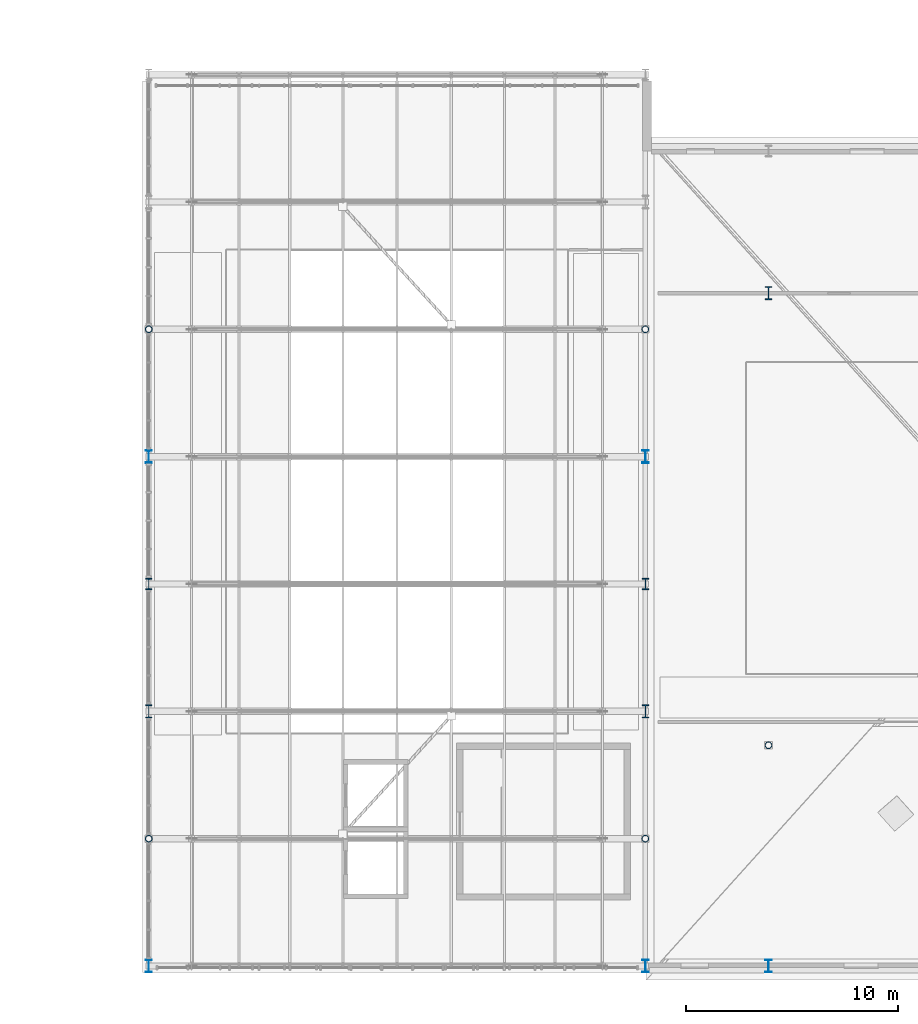
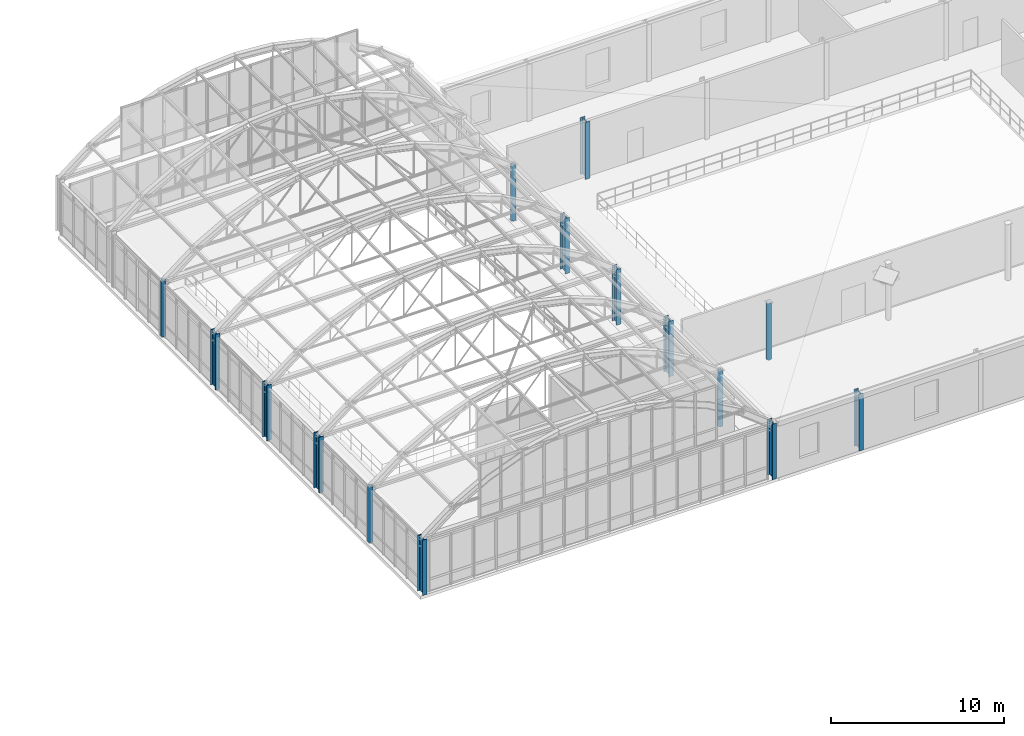
# One storey, part 5 of 148: 15 columns.
"""IFC4 building model written with IfcOpenShell, lengths in metres."""

from ifc_helpers import new_model, si_unit, direction, frame, origin, origin_2d, place, context, subcontext, project, spatial, hollow_circle, i_section, extrude, material, material_profile, profile_set, type_object, element, save


model = new_model("IFC4")

# Units and contexts
model_context = context("Model", 3, precision=1e-05, world=origin(), true_north=direction((0.0, 1.0)))
body_context = subcontext(model_context, "Body", "Model", "MODEL_VIEW")
ifc_project = project(units=[si_unit("LENGTHUNIT", "METRE"), si_unit("AREAUNIT", "SQUARE_METRE"), si_unit("VOLUMEUNIT", "CUBIC_METRE"), si_unit("PLANEANGLEUNIT", "RADIAN"), si_unit("MASSUNIT", "GRAM", prefix="KILO"), si_unit("THERMODYNAMICTEMPERATUREUNIT", "KELVIN"), si_unit("POWERUNIT", "WATT")], contexts=[model_context])

# Site, building, storey
site_placement = place(None, origin())
site = spatial("IfcSite", under=ifc_project, at=site_placement, CompositionType="ELEMENT")
building_placement = place(site_placement, origin())
building = spatial("IfcBuilding", under=site, at=building_placement, Name="Solvatero Civic Police Headquarters", CompositionType="ELEMENT")
storey_placement = place(building_placement, frame((0.0, 0.0, 5.10009765625)))
storey = spatial("IfcBuildingStorey", under=building, at=storey_placement, Name="L01", CompositionType="ELEMENT", Elevation=5.10009765625)

# Columns
ifc_material = material(Name="Steel S355", Category="steel")
ifc_material_profile_1 = material_profile(ifc_material, hollow_circle(Radius=0.161865234375, WallThickness=0.01611328125, at=origin_2d()), Name="CHS 323.9x16.0")
ifc_profile_set_1 = profile_set([ifc_material_profile_1], Name="Steel S355")
column_type_1 = type_object("IfcColumnType", Name="COL-ST-CHS324", PredefinedType="COLUMN", material=ifc_profile_set_1)
for number, where, z_axis, x_axis, name in (
    (1, (122.199951171875, 10.800048828125, 0.0), (0.0, 0.0, 1.0), (1.0, 0.0, 0.0), "Column V1-E-F2 L01"),
    (2, (122.199951171875, 34.800048828125, 0.0), (0.0, 0.0, 1.0), (1.0, 0.0, 0.0), "Column V1-E-F6 L01"),
    (3, (98.800048828125, 10.800048828125, 0.0), (0.0, 0.0, 1.0), (1.0, 0.0, 0.0), "Column V1-W-F2 L01"),
    (4, (98.800048828125, 34.800048828125, 0.0), (0.0, 0.0, 1.0), (1.0, 0.0, 0.0), "Column V1-W-F6 L01"),
):
    element("IfcColumn", number, at=place(storey_placement, frame(where, z_axis=z_axis, x_axis=x_axis)), inside=storey, type_object=column_type_1, Name=name, PredefinedType="COLUMN", context=body_context, shape_type="SweptSolid", body=[
        extrude(hollow_circle(Radius=0.161865234375, WallThickness=0.01611328125, at=origin_2d()), origin(), (0.0, 0.0, 1.0), 3.919921875),
    ])
column_1_placement = place(storey_placement, frame((128.0, 15.199951171875, 0.0), z_axis=(0.0, 0.0, 1.0), x_axis=(1.0, 0.0, 0.0)))
element("IfcColumn", 5, at=column_1_placement, inside=storey, type_object=column_type_1, Name="Column V3-X1Y2 L01", PredefinedType="COLUMN", context=body_context, shape_type="SweptSolid", body=[
    extrude(hollow_circle(Radius=0.161865234375, WallThickness=0.01611328125, at=origin_2d()), origin(), (0.0, 0.0, 1.0), 4.02001953125),
])
ifc_material_profile_2 = material_profile(ifc_material, i_section(OverallWidth=0.300048828125, OverallDepth=0.60009765625, WebThickness=0.015380859375, FlangeThickness=0.030029296875, FilletRadius=0.027099609375, at=origin_2d()), Name="HEB 600")
ifc_profile_set_2 = profile_set([ifc_material_profile_2], Name="Steel S355")
column_type_2 = type_object("IfcColumnType", Name="COL-ST-HEB600", PredefinedType="COLUMN", material=ifc_profile_set_2)
for number, where, z_axis, x_axis, name in (
    (6, (122.199951171875, 4.800048828125, 0.0), (0.0, 0.0, 1.0), (1.0, 0.0, 0.0), "Column V1-E-F1 L01"),
    (7, (122.199951171875, 28.800048828125, 0.0), (0.0, 0.0, 1.0), (1.0, 0.0, 0.0), "Column V1-E-F5 L01"),
    (8, (98.800048828125, 4.800048828125, 0.0), (0.0, 0.0, 1.0), (1.0, 0.0, 0.0), "Column V1-W-F1 L01"),
    (9, (98.800048828125, 28.800048828125, 0.0), (0.0, 0.0, 1.0), (1.0, 0.0, 0.0), "Column V1-W-F5 L01"),
):
    element("IfcColumn", number, at=place(storey_placement, frame(where, z_axis=z_axis, x_axis=x_axis)), inside=storey, type_object=column_type_2, Name=name, PredefinedType="COLUMN", context=body_context, shape_type="SweptSolid", body=[
        extrude(i_section(OverallWidth=0.300048828125, OverallDepth=0.60009765625, WebThickness=0.015380859375, FlangeThickness=0.030029296875, FilletRadius=0.027099609375, at=origin_2d()), origin(), (0.0, 0.0, 1.0), 3.919921875),
    ])
column_2_placement = place(storey_placement, frame((128.0, 4.800048828125, 0.0), z_axis=(0.0, 0.0, 1.0), x_axis=(1.0, 0.0, 0.0)))
element("IfcColumn", 10, at=column_2_placement, inside=storey, type_object=column_type_2, Name="Column V3-X1Y1 L01", PredefinedType="COLUMN", context=body_context, shape_type="SweptSolid", body=[
    extrude(i_section(OverallWidth=0.300048828125, OverallDepth=0.60009765625, WebThickness=0.015380859375, FlangeThickness=0.030029296875, FilletRadius=0.027099609375, at=origin_2d()), origin(), (0.0, 0.0, 1.0), 4.02001953125),
])
ifc_material_profile_3 = material_profile(ifc_material, i_section(OverallWidth=0.305908203125, OverallDepth=0.52392578125, WebThickness=0.02099609375, FlangeThickness=0.0400390625, FilletRadius=0.027099609375, at=origin_2d()), Name="HEM 500")
ifc_profile_set_3 = profile_set([ifc_material_profile_3], Name="Steel S355")
column_type_3 = type_object("IfcColumnType", Name="COL-ST-HEM500", PredefinedType="COLUMN", material=ifc_profile_set_3)
for number, where, z_axis, x_axis, name in (
    (11, (122.199951171875, 22.800048828125, 0.0), (0.0, 0.0, 1.0), (1.0, 0.0, 0.0), "Column V1-E-F4 L01"),
    (12, (98.800048828125, 22.800048828125, 0.0), (0.0, 0.0, 1.0), (1.0, 0.0, 0.0), "Column V1-W-F4 L01"),
):
    element("IfcColumn", number, at=place(storey_placement, frame(where, z_axis=z_axis, x_axis=x_axis)), inside=storey, type_object=column_type_3, Name=name, PredefinedType="COLUMN", context=body_context, shape_type="SweptSolid", body=[
        extrude(i_section(OverallWidth=0.305908203125, OverallDepth=0.52392578125, WebThickness=0.02099609375, FlangeThickness=0.0400390625, FilletRadius=0.027099609375, at=origin_2d()), origin(), (0.0, 0.0, 1.0), 3.919921875),
    ])
ifc_material_profile_4 = material_profile(ifc_material, i_section(OverallWidth=0.304931640625, OverallDepth=0.6201171875, WebThickness=0.02099609375, FlangeThickness=0.0400390625, FilletRadius=0.027099609375, at=origin_2d()), Name="HEM 600")
ifc_profile_set_4 = profile_set([ifc_material_profile_4], Name="Steel S355")
column_type_4 = type_object("IfcColumnType", Name="COL-ST-HEM600", PredefinedType="COLUMN", material=ifc_profile_set_4)
for number, where, z_axis, x_axis, name in (
    (13, (122.199951171875, 16.800048828125, 0.0), (0.0, 0.0, 1.0), (1.0, 0.0, 0.0), "Column V1-E-F3 L01"),
    (14, (98.800048828125, 16.800048828125, 0.0), (0.0, 0.0, 1.0), (1.0, 0.0, 0.0), "Column V1-W-F3 L01"),
):
    element("IfcColumn", number, at=place(storey_placement, frame(where, z_axis=z_axis, x_axis=x_axis)), inside=storey, type_object=column_type_4, Name=name, PredefinedType="COLUMN", context=body_context, shape_type="SweptSolid", body=[
        extrude(i_section(OverallWidth=0.304931640625, OverallDepth=0.6201171875, WebThickness=0.02099609375, FlangeThickness=0.0400390625, FilletRadius=0.027099609375, at=origin_2d()), origin(), (0.0, 0.0, 1.0), 3.919921875),
    ])
column_3_placement = place(storey_placement, frame((128.0, 36.5, 0.0), z_axis=(0.0, 0.0, 1.0), x_axis=(1.0, 0.0, 0.0)))
element("IfcColumn", 15, at=column_3_placement, inside=storey, type_object=column_type_4, Name="Column V3-X1Y3 L01", PredefinedType="COLUMN", context=body_context, shape_type="SweptSolid", body=[
    extrude(i_section(OverallWidth=0.304931640625, OverallDepth=0.6201171875, WebThickness=0.02099609375, FlangeThickness=0.0400390625, FilletRadius=0.027099609375, at=origin_2d()), origin(), (0.0, 0.0, 1.0), 4.02001953125),
])

save(model, "model.ifc")
